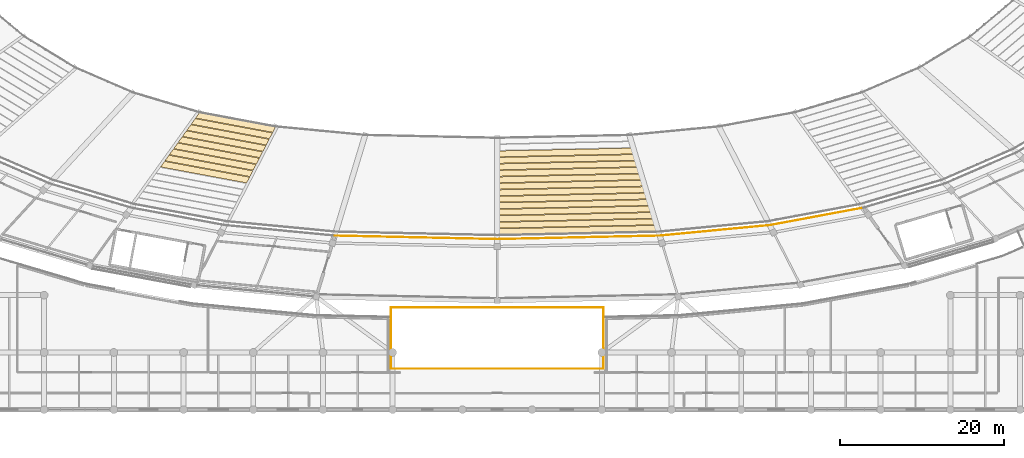
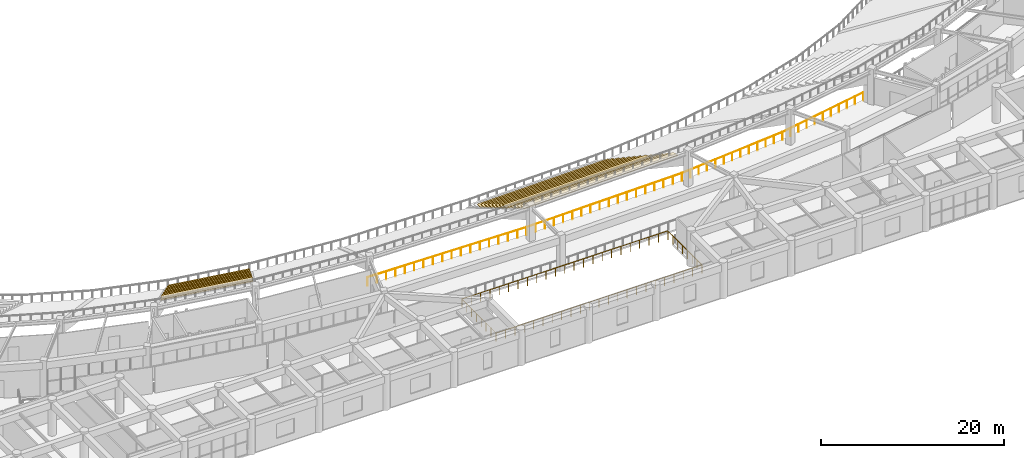
# One storey, part 116 of 137: 22 coverings, 3 railings.
"""IFC4 building model written with IfcOpenShell, lengths in metres."""

from ifc_helpers import new_model, si_unit, direction, frame, origin, origin_2d, place, context, subcontext, project, spatial, polyline, circle, outline, extrude, material, layer, layer_set, type_object, element, save


model = new_model("IFC4")

# Units and contexts
model_context = context("Model", 3, precision=1e-05, world=origin(), true_north=direction((0.0, 1.0)))
body_context = subcontext(model_context, "Body", "Model", "MODEL_VIEW")
ifc_project = project(units=[si_unit("LENGTHUNIT", "METRE"), si_unit("AREAUNIT", "SQUARE_METRE"), si_unit("VOLUMEUNIT", "CUBIC_METRE"), si_unit("PLANEANGLEUNIT", "RADIAN"), si_unit("MASSUNIT", "GRAM", prefix="KILO")], contexts=[model_context])

# Site, building, storey
site_placement = place(None, origin())
site = spatial("IfcSite", under=ifc_project, at=site_placement, CompositionType="ELEMENT")
building_placement = place(site_placement, origin())
building = spatial("IfcBuilding", under=site, at=building_placement, Name="Mphavela Belvedere Stadium", CompositionType="ELEMENT")
storey_placement = place(building_placement, frame((0.0, 0.0, 19.199951171875)))
storey = spatial("IfcBuildingStorey", under=building, at=storey_placement, Name="L04", CompositionType="ELEMENT", Elevation=19.199951171875)

# Coverings
ifc_material_1 = material(Name="Precast seating row terrazzo finish", Category="concrete")
ifc_layer = layer(ifc_material_1, 0.1201171875)
ifc_layer_set = layer_set([ifc_layer], Name="Precast seating row terrazzo finish")
covering_type = type_object("IfcCoveringType", Name="COV-SEAT-ROW-U", PredefinedType="FLOORING", material=ifc_layer_set)
covering_1_placement = place(storey_placement, frame((0.0, 0.0, -3.4033203125)))
element("IfcCovering", 1, at=covering_1_placement, inside=storey, type_object=covering_type, Name="Upper stand seating row bench B34-R01", PredefinedType="FLOORING", context=body_context, shape_type="SweptSolid", body=[
    extrude(outline(polyline([(78.6357421875, 36.3271484375), (87.9296875, 34.59619140625), (87.56298828125, 33.885986328125), (78.14306640625, 35.640380859375), (78.6357421875, 36.3271484375)])), origin(), (0.0, 0.0, 1.0), 0.1201171875),
])
covering_2_placement = place(storey_placement, frame((0.0, 0.0, -2.936767578125)))
element("IfcCovering", 2, at=covering_2_placement, inside=storey, type_object=covering_type, Name="Upper stand seating row bench B34-R02", PredefinedType="FLOORING", context=body_context, shape_type="SweptSolid", body=[
    extrude(outline(polyline([(78.10009765625, 35.580810546875), (87.531005859375, 33.824462890625), (87.164306640625, 33.1142578125), (77.607421875, 34.894287109375), (78.10009765625, 35.580810546875)])), origin(), (0.0, 0.0, 1.0), 0.1201171875),
])
covering_3_placement = place(storey_placement, frame((0.0, 0.0, -2.469970703125)))
element("IfcCovering", 3, at=covering_3_placement, inside=storey, type_object=covering_type, Name="Upper stand seating row bench B34-R03", PredefinedType="FLOORING", context=body_context, shape_type="SweptSolid", body=[
    extrude(outline(polyline([(77.564453125, 34.83447265625), (87.13232421875, 33.052490234375), (86.765625, 32.342529296875), (77.07177734375, 34.14794921875), (77.564453125, 34.83447265625)])), origin(), (0.0, 0.0, 1.0), 0.1201171875),
])
covering_4_placement = place(storey_placement, frame((0.0, 0.0, -2.003173828125)))
element("IfcCovering", 4, at=covering_4_placement, inside=storey, type_object=covering_type, Name="Upper stand seating row bench B34-R04", PredefinedType="FLOORING", context=body_context, shape_type="SweptSolid", body=[
    extrude(outline(polyline([(77.029052734375, 34.088134765625), (86.733642578125, 32.28076171875), (86.366943359375, 31.570556640625), (76.5361328125, 33.401611328125), (77.029052734375, 34.088134765625)])), origin(), (0.0, 0.0, 1.0), 0.119873046875),
])
covering_5_placement = place(storey_placement, frame((0.0, 0.0, -1.53662109375)))
element("IfcCovering", 5, at=covering_5_placement, inside=storey, type_object=covering_type, Name="Upper stand seating row bench B34-R05", PredefinedType="FLOORING", context=body_context, shape_type="SweptSolid", body=[
    extrude(outline(polyline([(76.493408203125, 33.341796875), (86.3349609375, 31.5087890625), (85.96826171875, 30.798828125), (76.00048828125, 32.6552734375), (76.493408203125, 33.341796875)])), origin(), (0.0, 0.0, 1.0), 0.119873046875),
])
covering_6_placement = place(storey_placement, frame((0.0, 0.0, -1.070068359375)))
element("IfcCovering", 6, at=covering_6_placement, inside=storey, type_object=covering_type, Name="Upper stand seating row bench B34-R06", PredefinedType="FLOORING", context=body_context, shape_type="SweptSolid", body=[
    extrude(outline(polyline([(75.957763671875, 32.595458984375), (85.936279296875, 30.737060546875), (85.569580078125, 30.02685546875), (75.465087890625, 31.90869140625), (75.957763671875, 32.595458984375)])), origin(), (0.0, 0.0, 1.0), 0.1201171875),
])
covering_7_placement = place(storey_placement, frame((0.0, 0.0, -0.603271484375)))
element("IfcCovering", 7, at=covering_7_placement, inside=storey, type_object=covering_type, Name="Upper stand seating row bench B34-R07", PredefinedType="FLOORING", context=body_context, shape_type="SweptSolid", body=[
    extrude(outline(polyline([(75.422119140625, 31.84912109375), (85.53759765625, 29.965087890625), (85.1708984375, 29.255126953125), (74.929443359375, 31.16259765625), (75.422119140625, 31.84912109375)])), origin(), (0.0, 0.0, 1.0), 0.1201171875),
])
covering_8_placement = place(storey_placement, frame((0.0, 0.0, -0.13671875)))
element("IfcCovering", 8, at=covering_8_placement, inside=storey, type_object=covering_type, Name="Upper stand seating row bench B34-R08", PredefinedType="FLOORING", context=body_context, shape_type="SweptSolid", body=[
    extrude(outline(polyline([(74.88671875, 31.102783203125), (85.138916015625, 29.193359375), (84.772216796875, 28.4833984375), (74.393798828125, 30.416015625), (74.88671875, 31.102783203125)])), origin(), (0.0, 0.0, 1.0), 0.1201171875),
])
covering_9_placement = place(storey_placement, frame((0.0, 0.0, 0.330078125)))
element("IfcCovering", 9, at=covering_9_placement, inside=storey, type_object=covering_type, Name="Upper stand seating row bench B34-R09", PredefinedType="FLOORING", context=body_context, shape_type="SweptSolid", body=[
    extrude(outline(polyline([(74.35107421875, 30.3564453125), (84.740234375, 28.42138671875), (84.373291015625, 27.71142578125), (73.858154296875, 29.669921875), (74.35107421875, 30.3564453125)])), origin(), (0.0, 0.0, 1.0), 0.119873046875),
])
covering_10_placement = place(storey_placement, frame((0.0, 0.0, -2.469970703125)))
element("IfcCovering", 10, at=covering_10_placement, inside=storey, type_object=covering_type, Name="Upper stand seating row bench B37-R03", PredefinedType="FLOORING", context=body_context, shape_type="SweptSolid", body=[
    extrude(outline(polyline([(115.0, 31.622314453125), (131.62353515625, 31.980224609375), (131.84228515625, 31.256103515625), (115.0, 30.8935546875), (115.0, 31.622314453125)])), origin(), (0.0, 0.0, 1.0), 0.1201171875),
])
covering_11_placement = place(storey_placement, frame((0.0, 0.0, -2.003173828125)))
element("IfcCovering", 11, at=covering_11_placement, inside=storey, type_object=covering_type, Name="Upper stand seating row bench B37-R04", PredefinedType="FLOORING", context=body_context, shape_type="SweptSolid", body=[
    extrude(outline(polyline([(115.0, 30.830078125), (131.861328125, 31.193115234375), (132.080078125, 30.468994140625), (115.0, 30.101318359375), (115.0, 30.830078125)])), origin(), (0.0, 0.0, 1.0), 0.119873046875),
])
covering_12_placement = place(storey_placement, frame((0.0, 0.0, -1.53662109375)))
element("IfcCovering", 12, at=covering_12_placement, inside=storey, type_object=covering_type, Name="Upper stand seating row bench B37-R05", PredefinedType="FLOORING", context=body_context, shape_type="SweptSolid", body=[
    extrude(outline(polyline([(115.0, 30.037841796875), (132.09912109375, 30.406005859375), (132.318115234375, 29.681884765625), (115.0, 29.308837890625), (115.0, 30.037841796875)])), origin(), (0.0, 0.0, 1.0), 0.119873046875),
])
covering_13_placement = place(storey_placement, frame((0.0, 0.0, -1.070068359375)))
element("IfcCovering", 13, at=covering_13_placement, inside=storey, type_object=covering_type, Name="Upper stand seating row bench B37-R06", PredefinedType="FLOORING", context=body_context, shape_type="SweptSolid", body=[
    extrude(outline(polyline([(115.0, 29.24560546875), (132.3369140625, 29.618896484375), (132.555908203125, 28.89453125), (115.0, 28.5166015625), (115.0, 29.24560546875)])), origin(), (0.0, 0.0, 1.0), 0.1201171875),
])
covering_14_placement = place(storey_placement, frame((0.0, 0.0, -0.603271484375)))
element("IfcCovering", 14, at=covering_14_placement, inside=storey, type_object=covering_type, Name="Upper stand seating row bench B37-R07", PredefinedType="FLOORING", context=body_context, shape_type="SweptSolid", body=[
    extrude(outline(polyline([(115.0, 28.453125), (132.574951171875, 28.83154296875), (132.793701171875, 28.107421875), (115.0, 27.724365234375), (115.0, 28.453125)])), origin(), (0.0, 0.0, 1.0), 0.1201171875),
])
covering_15_placement = place(storey_placement, frame((0.0, 0.0, -0.13671875)))
element("IfcCovering", 15, at=covering_15_placement, inside=storey, type_object=covering_type, Name="Upper stand seating row bench B37-R08", PredefinedType="FLOORING", context=body_context, shape_type="SweptSolid", body=[
    extrude(outline(polyline([(115.0, 27.660888671875), (132.812744140625, 28.04443359375), (133.031494140625, 27.3203125), (115.0, 26.931884765625), (115.0, 27.660888671875)])), origin(), (0.0, 0.0, 1.0), 0.1201171875),
])
covering_16_placement = place(storey_placement, frame((0.0, 0.0, 0.330078125)))
element("IfcCovering", 16, at=covering_16_placement, inside=storey, type_object=covering_type, Name="Upper stand seating row bench B37-R09", PredefinedType="FLOORING", context=body_context, shape_type="SweptSolid", body=[
    extrude(outline(polyline([(115.0, 26.86865234375), (133.050537109375, 27.25732421875), (133.269287109375, 26.533203125), (115.0, 26.1396484375), (115.0, 26.86865234375)])), origin(), (0.0, 0.0, 1.0), 0.119873046875),
])
covering_17_placement = place(storey_placement, frame((0.0, 0.0, 0.796630859375)))
element("IfcCovering", 17, at=covering_17_placement, inside=storey, type_object=covering_type, Name="Upper stand seating row bench B37-R10", PredefinedType="FLOORING", context=body_context, shape_type="SweptSolid", body=[
    extrude(outline(polyline([(115.0, 26.076416015625), (133.288330078125, 26.47021484375), (133.507080078125, 25.745849609375), (115.0, 25.347412109375), (115.0, 26.076416015625)])), origin(), (0.0, 0.0, 1.0), 0.1201171875),
])
covering_18_placement = place(storey_placement, frame((0.0, 0.0, 1.263427734375)))
element("IfcCovering", 18, at=covering_18_placement, inside=storey, type_object=covering_type, Name="Upper stand seating row bench B37-R11", PredefinedType="FLOORING", context=body_context, shape_type="SweptSolid", body=[
    extrude(outline(polyline([(115.0, 25.283935546875), (133.526123046875, 25.682861328125), (133.7451171875, 24.958740234375), (115.0, 24.55517578125), (115.0, 25.283935546875)])), origin(), (0.0, 0.0, 1.0), 0.119873046875),
])
covering_19_placement = place(storey_placement, frame((0.0, 0.0, 1.72998046875)))
element("IfcCovering", 19, at=covering_19_placement, inside=storey, type_object=covering_type, Name="Upper stand seating row bench B37-R12", PredefinedType="FLOORING", context=body_context, shape_type="SweptSolid", body=[
    extrude(outline(polyline([(115.0, 24.49169921875), (133.76416015625, 24.895751953125), (133.98291015625, 24.17138671875), (115.0, 23.7626953125), (115.0, 24.49169921875)])), origin(), (0.0, 0.0, 1.0), 0.1201171875),
])
covering_20_placement = place(storey_placement, frame((0.0, 0.0, 2.19677734375)))
element("IfcCovering", 20, at=covering_20_placement, inside=storey, type_object=covering_type, Name="Upper stand seating row bench B37-R13", PredefinedType="FLOORING", context=body_context, shape_type="SweptSolid", body=[
    extrude(outline(polyline([(115.0, 23.699462890625), (134.001953125, 24.1083984375), (134.220703125, 23.38427734375), (115.0, 22.970458984375), (115.0, 23.699462890625)])), origin(), (0.0, 0.0, 1.0), 0.119873046875),
])
covering_21_placement = place(storey_placement, frame((0.0, 0.0, 2.663330078125)))
element("IfcCovering", 21, at=covering_21_placement, inside=storey, type_object=covering_type, Name="Upper stand seating row bench B37-R14", PredefinedType="FLOORING", context=body_context, shape_type="SweptSolid", body=[
    extrude(outline(polyline([(115.0, 22.906982421875), (134.23974609375, 23.3212890625), (134.45849609375, 22.59716796875), (115.0, 22.17822265625), (115.0, 22.906982421875)])), origin(), (0.0, 0.0, 1.0), 0.1201171875),
])
covering_22_placement = place(storey_placement, frame((0.0, 0.0, 3.130126953125)))
element("IfcCovering", 22, at=covering_22_placement, inside=storey, type_object=covering_type, Name="Upper stand seating row bench B37-R15", PredefinedType="FLOORING", context=body_context, shape_type="SweptSolid", body=[
    extrude(outline(polyline([(115.0, 22.11474609375), (134.4775390625, 22.5341796875), (134.6962890625, 21.81005859375), (115.0, 21.385986328125), (115.0, 22.11474609375)])), origin(), (0.0, 0.0, 1.0), 0.119873046875),
])

# Railings
ifc_material_2 = material(Name="Bronze and laminated glass stadium balustrade", Category="glass")
railing_type = type_object("IfcRailingType", Name="RAL-BALUSTRADE-1120", PredefinedType="BALUSTRADE", material=ifc_material_2)
railing_1_placement = place(storey_placement, frame((95.138671875, 21.263671875, 0.0)))
element("IfcRailing", 23, at=railing_1_placement, inside=storey, type_object=railing_type, Name="South Belvedere terrace inner bowl balustrade", PredefinedType="BALUSTRADE", context=body_context, shape_type="SweptSolid", body=[
    extrude(circle(Radius=0.02392578125, at=origin_2d()), frame((0.0, 0.0, 1.09619140625), z_axis=(0.999768180107, -0.021531048426, 0.0), x_axis=(0.021531048426, 0.999768180107, 0.0)), (0.0, 0.0, 1.0), 19.865966796875),
    extrude(circle(Radius=0.02392578125, at=origin_2d()), frame((19.861328125, -0.427734375, 1.09619140625), z_axis=(0.999768180107, 0.021531048426, 0.0), x_axis=(-0.021531048426, 0.999768180107, 0.0)), (0.0, 0.0, 1.0), 19.865966796875),
    extrude(circle(Radius=0.02392578125, at=origin_2d()), frame((39.72265625, 0.0, 1.09619140625), z_axis=(0.995484652268, 0.094922637441, 0.0), x_axis=(-0.094922637441, 0.995484652268, 0.0)), (0.0, 0.0, 1.0), 13.495361328125),
    extrude(circle(Radius=0.02392578125, at=origin_2d()), frame((53.156982421875, 1.281005859375, 1.09619140625), z_axis=(0.983097019328, 0.183085364213, 0.0), x_axis=(-0.183085364213, 0.983097019328, 0.0)), (0.0, 0.0, 1.0), 11.6279296875),
    extrude(circle(Radius=0.02099609375, at=origin_2d()), origin(), (0.0, 0.0, 1.0), 1.072021484375),
    extrude(circle(Radius=0.02099609375, at=origin_2d()), frame((1.168212890625, -0.025146484375, 0.0)), (0.0, 0.0, 1.0), 1.072021484375),
    extrude(circle(Radius=0.02099609375, at=origin_2d()), frame((2.336669921875, -0.05029296875, 0.0)), (0.0, 0.0, 1.0), 1.072021484375),
    extrude(circle(Radius=0.02099609375, at=origin_2d()), frame((3.5048828125, -0.075439453125, 0.0)), (0.0, 0.0, 1.0), 1.072021484375),
    extrude(circle(Radius=0.02099609375, at=origin_2d()), frame((4.67333984375, -0.1005859375, 0.0)), (0.0, 0.0, 1.0), 1.072021484375),
    extrude(circle(Radius=0.02099609375, at=origin_2d()), frame((5.841552734375, -0.125732421875, 0.0)), (0.0, 0.0, 1.0), 1.072021484375),
    extrude(circle(Radius=0.02099609375, at=origin_2d()), frame((7.009765625, -0.15087890625, 0.0)), (0.0, 0.0, 1.0), 1.072021484375),
    extrude(circle(Radius=0.02099609375, at=origin_2d()), frame((8.17822265625, -0.176025390625, 0.0)), (0.0, 0.0, 1.0), 1.072021484375),
    extrude(circle(Radius=0.02099609375, at=origin_2d()), frame((9.346435546875, -0.201171875, 0.0)), (0.0, 0.0, 1.0), 1.072021484375),
    extrude(circle(Radius=0.02099609375, at=origin_2d()), frame((10.514892578125, -0.2265625, 0.0)), (0.0, 0.0, 1.0), 1.072021484375),
    extrude(circle(Radius=0.02099609375, at=origin_2d()), frame((11.68310546875, -0.251708984375, 0.0)), (0.0, 0.0, 1.0), 1.072021484375),
    extrude(circle(Radius=0.02099609375, at=origin_2d()), frame((12.8515625, -0.27685546875, 0.0)), (0.0, 0.0, 1.0), 1.072021484375),
    extrude(circle(Radius=0.02099609375, at=origin_2d()), frame((14.019775390625, -0.302001953125, 0.0)), (0.0, 0.0, 1.0), 1.072021484375),
    extrude(circle(Radius=0.02099609375, at=origin_2d()), frame((15.18798828125, -0.3271484375, 0.0)), (0.0, 0.0, 1.0), 1.072021484375),
    extrude(circle(Radius=0.02099609375, at=origin_2d()), frame((16.3564453125, -0.352294921875, 0.0)), (0.0, 0.0, 1.0), 1.072021484375),
    extrude(circle(Radius=0.02099609375, at=origin_2d()), frame((17.524658203125, -0.37744140625, 0.0)), (0.0, 0.0, 1.0), 1.072021484375),
    extrude(circle(Radius=0.02099609375, at=origin_2d()), frame((18.693115234375, -0.402587890625, 0.0)), (0.0, 0.0, 1.0), 1.072021484375),
    extrude(circle(Radius=0.02099609375, at=origin_2d()), frame((19.861328125, -0.427734375, 0.0)), (0.0, 0.0, 1.0), 1.072021484375),
    extrude(circle(Radius=0.02099609375, at=origin_2d()), frame((21.029541015625, -0.402587890625, 0.0)), (0.0, 0.0, 1.0), 1.072021484375),
    extrude(circle(Radius=0.02099609375, at=origin_2d()), frame((22.197998046875, -0.37744140625, 0.0)), (0.0, 0.0, 1.0), 1.072021484375),
    extrude(circle(Radius=0.02099609375, at=origin_2d()), frame((23.3662109375, -0.352294921875, 0.0)), (0.0, 0.0, 1.0), 1.072021484375),
    extrude(circle(Radius=0.02099609375, at=origin_2d()), frame((24.53466796875, -0.3271484375, 0.0)), (0.0, 0.0, 1.0), 1.072021484375),
    extrude(circle(Radius=0.02099609375, at=origin_2d()), frame((25.702880859375, -0.302001953125, 0.0)), (0.0, 0.0, 1.0), 1.072021484375),
    extrude(circle(Radius=0.02099609375, at=origin_2d()), frame((26.87109375, -0.27685546875, 0.0)), (0.0, 0.0, 1.0), 1.072021484375),
    extrude(circle(Radius=0.02099609375, at=origin_2d()), frame((28.03955078125, -0.251708984375, 0.0)), (0.0, 0.0, 1.0), 1.072021484375),
    extrude(circle(Radius=0.02099609375, at=origin_2d()), frame((29.207763671875, -0.2265625, 0.0)), (0.0, 0.0, 1.0), 1.072021484375),
    extrude(circle(Radius=0.02099609375, at=origin_2d()), frame((30.376220703125, -0.201171875, 0.0)), (0.0, 0.0, 1.0), 1.072021484375),
    extrude(circle(Radius=0.02099609375, at=origin_2d()), frame((31.54443359375, -0.176025390625, 0.0)), (0.0, 0.0, 1.0), 1.072021484375),
    extrude(circle(Radius=0.02099609375, at=origin_2d()), frame((32.712890625, -0.15087890625, 0.0)), (0.0, 0.0, 1.0), 1.072021484375),
    extrude(circle(Radius=0.02099609375, at=origin_2d()), frame((33.881103515625, -0.125732421875, 0.0)), (0.0, 0.0, 1.0), 1.072021484375),
    extrude(circle(Radius=0.02099609375, at=origin_2d()), frame((35.04931640625, -0.1005859375, 0.0)), (0.0, 0.0, 1.0), 1.072021484375),
    extrude(circle(Radius=0.02099609375, at=origin_2d()), frame((36.2177734375, -0.075439453125, 0.0)), (0.0, 0.0, 1.0), 1.072021484375),
    extrude(circle(Radius=0.02099609375, at=origin_2d()), frame((37.385986328125, -0.05029296875, 0.0)), (0.0, 0.0, 1.0), 1.072021484375),
    extrude(circle(Radius=0.02099609375, at=origin_2d()), frame((38.554443359375, -0.025146484375, 0.0)), (0.0, 0.0, 1.0), 1.072021484375),
    extrude(circle(Radius=0.02099609375, at=origin_2d()), frame((39.72265625, 0.0, 0.0)), (0.0, 0.0, 1.0), 1.072021484375),
    extrude(circle(Radius=0.02099609375, at=origin_2d()), frame((40.84228515625, 0.106689453125, 0.0)), (0.0, 0.0, 1.0), 1.072021484375),
    extrude(circle(Radius=0.02099609375, at=origin_2d()), frame((41.961669921875, 0.21337890625, 0.0)), (0.0, 0.0, 1.0), 1.072021484375),
    extrude(circle(Radius=0.02099609375, at=origin_2d()), frame((43.081298828125, 0.3203125, 0.0)), (0.0, 0.0, 1.0), 1.072021484375),
    extrude(circle(Radius=0.02099609375, at=origin_2d()), frame((44.20068359375, 0.427001953125, 0.0)), (0.0, 0.0, 1.0), 1.072021484375),
    extrude(circle(Radius=0.02099609375, at=origin_2d()), frame((45.3203125, 0.53369140625, 0.0)), (0.0, 0.0, 1.0), 1.072021484375),
    extrude(circle(Radius=0.02099609375, at=origin_2d()), frame((46.43994140625, 0.640625, 0.0)), (0.0, 0.0, 1.0), 1.072021484375),
    extrude(circle(Radius=0.02099609375, at=origin_2d()), frame((47.559326171875, 0.747314453125, 0.0)), (0.0, 0.0, 1.0), 1.072021484375),
    extrude(circle(Radius=0.02099609375, at=origin_2d()), frame((48.678955078125, 0.85400390625, 0.0)), (0.0, 0.0, 1.0), 1.072021484375),
    extrude(circle(Radius=0.02099609375, at=origin_2d()), frame((49.79833984375, 0.960693359375, 0.0)), (0.0, 0.0, 1.0), 1.072021484375),
    extrude(circle(Radius=0.02099609375, at=origin_2d()), frame((50.91796875, 1.0673828125, 0.0)), (0.0, 0.0, 1.0), 1.072021484375),
    extrude(circle(Radius=0.02099609375, at=origin_2d()), frame((52.037353515625, 1.17431640625, 0.0)), (0.0, 0.0, 1.0), 1.072021484375),
    extrude(circle(Radius=0.02099609375, at=origin_2d()), frame((53.156982421875, 1.281005859375, 0.0)), (0.0, 0.0, 1.0), 1.072021484375),
    extrude(circle(Radius=0.02099609375, at=origin_2d()), frame((54.300048828125, 1.493896484375, 0.0)), (0.0, 0.0, 1.0), 1.072021484375),
    extrude(circle(Radius=0.02099609375, at=origin_2d()), frame((55.443359375, 1.706787109375, 0.0)), (0.0, 0.0, 1.0), 1.072021484375),
    extrude(circle(Radius=0.02099609375, at=origin_2d()), frame((56.58642578125, 1.919677734375, 0.0)), (0.0, 0.0, 1.0), 1.072021484375),
    extrude(circle(Radius=0.02099609375, at=origin_2d()), frame((57.7294921875, 2.132568359375, 0.0)), (0.0, 0.0, 1.0), 1.072021484375),
    extrude(circle(Radius=0.02099609375, at=origin_2d()), frame((58.87255859375, 2.345458984375, 0.0)), (0.0, 0.0, 1.0), 1.072021484375),
    extrude(circle(Radius=0.02099609375, at=origin_2d()), frame((60.015869140625, 2.558349609375, 0.0)), (0.0, 0.0, 1.0), 1.072021484375),
    extrude(circle(Radius=0.02099609375, at=origin_2d()), frame((61.158935546875, 2.771240234375, 0.0)), (0.0, 0.0, 1.0), 1.072021484375),
    extrude(circle(Radius=0.02099609375, at=origin_2d()), frame((62.302001953125, 2.984130859375, 0.0)), (0.0, 0.0, 1.0), 1.072021484375),
    extrude(circle(Radius=0.02099609375, at=origin_2d()), frame((63.4453125, 3.197021484375, 0.0)), (0.0, 0.0, 1.0), 1.072021484375),
    extrude(circle(Radius=0.02099609375, at=origin_2d()), frame((64.58837890625, 3.409912109375, 0.0)), (0.0, 0.0, 1.0), 1.072021484375),
])
railing_2_placement = place(storey_placement, frame((102.0, 5.0, 0.0)))
element("IfcRailing", 24, at=railing_2_placement, inside=storey, type_object=railing_type, Name="South Axial Triumphal Peristyle Portico court balustrade L04-A", PredefinedType="BALUSTRADE", context=body_context, shape_type="SweptSolid", body=[
    extrude(circle(Radius=0.02392578125, at=origin_2d()), frame((0.0, 0.0, 1.09619140625), z_axis=(1.0, 0.0, 0.0), x_axis=(0.0, 1.0, 0.0)), (0.0, 0.0, 1.0), 26.0),
    extrude(circle(Radius=0.02392578125, at=origin_2d()), frame((26.0, 0.0, 1.09619140625), z_axis=(0.0, 1.0, 0.0), x_axis=(-1.0, 0.0, 0.0)), (0.0, 0.0, 1.0), 7.419921875),
    extrude(circle(Radius=0.02099609375, at=origin_2d()), origin(), (0.0, 0.0, 1.0), 1.072021484375),
    extrude(circle(Radius=0.02099609375, at=origin_2d()), frame((1.181884765625, 0.0, 0.0)), (0.0, 0.0, 1.0), 1.072021484375),
    extrude(circle(Radius=0.02099609375, at=origin_2d()), frame((2.363525390625, 0.0, 0.0)), (0.0, 0.0, 1.0), 1.072021484375),
    extrude(circle(Radius=0.02099609375, at=origin_2d()), frame((3.54541015625, 0.0, 0.0)), (0.0, 0.0, 1.0), 1.072021484375),
    extrude(circle(Radius=0.02099609375, at=origin_2d()), frame((4.727294921875, 0.0, 0.0)), (0.0, 0.0, 1.0), 1.072021484375),
    extrude(circle(Radius=0.02099609375, at=origin_2d()), frame((5.9091796875, 0.0, 0.0)), (0.0, 0.0, 1.0), 1.072021484375),
    extrude(circle(Radius=0.02099609375, at=origin_2d()), frame((7.0908203125, 0.0, 0.0)), (0.0, 0.0, 1.0), 1.072021484375),
    extrude(circle(Radius=0.02099609375, at=origin_2d()), frame((8.272705078125, 0.0, 0.0)), (0.0, 0.0, 1.0), 1.072021484375),
    extrude(circle(Radius=0.02099609375, at=origin_2d()), frame((9.45458984375, 0.0, 0.0)), (0.0, 0.0, 1.0), 1.072021484375),
    extrude(circle(Radius=0.02099609375, at=origin_2d()), frame((10.636474609375, 0.0, 0.0)), (0.0, 0.0, 1.0), 1.072021484375),
    extrude(circle(Radius=0.02099609375, at=origin_2d()), frame((11.818115234375, 0.0, 0.0)), (0.0, 0.0, 1.0), 1.072021484375),
    extrude(circle(Radius=0.02099609375, at=origin_2d()), frame((13.0, 0.0, 0.0)), (0.0, 0.0, 1.0), 1.072021484375),
    extrude(circle(Radius=0.02099609375, at=origin_2d()), frame((14.181884765625, 0.0, 0.0)), (0.0, 0.0, 1.0), 1.072021484375),
    extrude(circle(Radius=0.02099609375, at=origin_2d()), frame((15.363525390625, 0.0, 0.0)), (0.0, 0.0, 1.0), 1.072021484375),
    extrude(circle(Radius=0.02099609375, at=origin_2d()), frame((16.54541015625, 0.0, 0.0)), (0.0, 0.0, 1.0), 1.072021484375),
    extrude(circle(Radius=0.02099609375, at=origin_2d()), frame((17.727294921875, 0.0, 0.0)), (0.0, 0.0, 1.0), 1.072021484375),
    extrude(circle(Radius=0.02099609375, at=origin_2d()), frame((18.9091796875, 0.0, 0.0)), (0.0, 0.0, 1.0), 1.072021484375),
    extrude(circle(Radius=0.02099609375, at=origin_2d()), frame((20.0908203125, 0.0, 0.0)), (0.0, 0.0, 1.0), 1.072021484375),
    extrude(circle(Radius=0.02099609375, at=origin_2d()), frame((21.272705078125, 0.0, 0.0)), (0.0, 0.0, 1.0), 1.072021484375),
    extrude(circle(Radius=0.02099609375, at=origin_2d()), frame((22.45458984375, 0.0, 0.0)), (0.0, 0.0, 1.0), 1.072021484375),
    extrude(circle(Radius=0.02099609375, at=origin_2d()), frame((23.636474609375, 0.0, 0.0)), (0.0, 0.0, 1.0), 1.072021484375),
    extrude(circle(Radius=0.02099609375, at=origin_2d()), frame((24.818115234375, 0.0, 0.0)), (0.0, 0.0, 1.0), 1.072021484375),
    extrude(circle(Radius=0.02099609375, at=origin_2d()), frame((26.0, 0.0, 0.0)), (0.0, 0.0, 1.0), 1.072021484375),
    extrude(circle(Radius=0.02099609375, at=origin_2d()), frame((26.0, 1.06005859375, 0.0)), (0.0, 0.0, 1.0), 1.072021484375),
    extrude(circle(Radius=0.02099609375, at=origin_2d()), frame((26.0, 2.119873046875, 0.0)), (0.0, 0.0, 1.0), 1.072021484375),
    extrude(circle(Radius=0.02099609375, at=origin_2d()), frame((26.0, 3.179931640625, 0.0)), (0.0, 0.0, 1.0), 1.072021484375),
    extrude(circle(Radius=0.02099609375, at=origin_2d()), frame((26.0, 4.239990234375, 0.0)), (0.0, 0.0, 1.0), 1.072021484375),
    extrude(circle(Radius=0.02099609375, at=origin_2d()), frame((26.0, 5.300048828125, 0.0)), (0.0, 0.0, 1.0), 1.072021484375),
    extrude(circle(Radius=0.02099609375, at=origin_2d()), frame((26.0, 6.35986328125, 0.0)), (0.0, 0.0, 1.0), 1.072021484375),
    extrude(circle(Radius=0.02099609375, at=origin_2d()), frame((26.0, 7.419921875, 0.0)), (0.0, 0.0, 1.0), 1.072021484375),
])
railing_3_placement = place(storey_placement, frame((128.0, 12.5, 0.0)))
element("IfcRailing", 25, at=railing_3_placement, inside=storey, type_object=railing_type, Name="South Axial Triumphal Peristyle Portico court balustrade L04-B", PredefinedType="BALUSTRADE", context=body_context, shape_type="SweptSolid", body=[
    extrude(circle(Radius=0.02392578125, at=origin_2d()), frame((0.0, 0.0, 1.09619140625), z_axis=(-1.0, 0.0, 0.0), x_axis=(0.0, -1.0, 0.0)), (0.0, 0.0, 1.0), 26.0),
    extrude(circle(Radius=0.02392578125, at=origin_2d()), frame((-26.0, 0.0, 1.09619140625), z_axis=(0.0, -1.0, 0.0), x_axis=(1.0, 0.0, 0.0)), (0.0, 0.0, 1.0), 7.419921875),
    extrude(circle(Radius=0.02099609375, at=origin_2d()), origin(), (0.0, 0.0, 1.0), 1.072021484375),
    extrude(circle(Radius=0.02099609375, at=origin_2d()), frame((-1.181884765625, 0.0, 0.0)), (0.0, 0.0, 1.0), 1.072021484375),
    extrude(circle(Radius=0.02099609375, at=origin_2d()), frame((-2.363525390625, 0.0, 0.0)), (0.0, 0.0, 1.0), 1.072021484375),
    extrude(circle(Radius=0.02099609375, at=origin_2d()), frame((-3.54541015625, 0.0, 0.0)), (0.0, 0.0, 1.0), 1.072021484375),
    extrude(circle(Radius=0.02099609375, at=origin_2d()), frame((-4.727294921875, 0.0, 0.0)), (0.0, 0.0, 1.0), 1.072021484375),
    extrude(circle(Radius=0.02099609375, at=origin_2d()), frame((-5.9091796875, 0.0, 0.0)), (0.0, 0.0, 1.0), 1.072021484375),
    extrude(circle(Radius=0.02099609375, at=origin_2d()), frame((-7.0908203125, 0.0, 0.0)), (0.0, 0.0, 1.0), 1.072021484375),
    extrude(circle(Radius=0.02099609375, at=origin_2d()), frame((-8.272705078125, 0.0, 0.0)), (0.0, 0.0, 1.0), 1.072021484375),
    extrude(circle(Radius=0.02099609375, at=origin_2d()), frame((-9.45458984375, 0.0, 0.0)), (0.0, 0.0, 1.0), 1.072021484375),
    extrude(circle(Radius=0.02099609375, at=origin_2d()), frame((-10.636474609375, 0.0, 0.0)), (0.0, 0.0, 1.0), 1.072021484375),
    extrude(circle(Radius=0.02099609375, at=origin_2d()), frame((-11.818115234375, 0.0, 0.0)), (0.0, 0.0, 1.0), 1.072021484375),
    extrude(circle(Radius=0.02099609375, at=origin_2d()), frame((-13.0, 0.0, 0.0)), (0.0, 0.0, 1.0), 1.072021484375),
    extrude(circle(Radius=0.02099609375, at=origin_2d()), frame((-14.181884765625, 0.0, 0.0)), (0.0, 0.0, 1.0), 1.072021484375),
    extrude(circle(Radius=0.02099609375, at=origin_2d()), frame((-15.363525390625, 0.0, 0.0)), (0.0, 0.0, 1.0), 1.072021484375),
    extrude(circle(Radius=0.02099609375, at=origin_2d()), frame((-16.54541015625, 0.0, 0.0)), (0.0, 0.0, 1.0), 1.072021484375),
    extrude(circle(Radius=0.02099609375, at=origin_2d()), frame((-17.727294921875, 0.0, 0.0)), (0.0, 0.0, 1.0), 1.072021484375),
    extrude(circle(Radius=0.02099609375, at=origin_2d()), frame((-18.9091796875, 0.0, 0.0)), (0.0, 0.0, 1.0), 1.072021484375),
    extrude(circle(Radius=0.02099609375, at=origin_2d()), frame((-20.0908203125, 0.0, 0.0)), (0.0, 0.0, 1.0), 1.072021484375),
    extrude(circle(Radius=0.02099609375, at=origin_2d()), frame((-21.272705078125, 0.0, 0.0)), (0.0, 0.0, 1.0), 1.072021484375),
    extrude(circle(Radius=0.02099609375, at=origin_2d()), frame((-22.45458984375, 0.0, 0.0)), (0.0, 0.0, 1.0), 1.072021484375),
    extrude(circle(Radius=0.02099609375, at=origin_2d()), frame((-23.636474609375, 0.0, 0.0)), (0.0, 0.0, 1.0), 1.072021484375),
    extrude(circle(Radius=0.02099609375, at=origin_2d()), frame((-24.818115234375, 0.0, 0.0)), (0.0, 0.0, 1.0), 1.072021484375),
    extrude(circle(Radius=0.02099609375, at=origin_2d()), frame((-26.0, 0.0, 0.0)), (0.0, 0.0, 1.0), 1.072021484375),
    extrude(circle(Radius=0.02099609375, at=origin_2d()), frame((-26.0, -1.06005859375, 0.0)), (0.0, 0.0, 1.0), 1.072021484375),
    extrude(circle(Radius=0.02099609375, at=origin_2d()), frame((-26.0, -2.119873046875, 0.0)), (0.0, 0.0, 1.0), 1.072021484375),
    extrude(circle(Radius=0.02099609375, at=origin_2d()), frame((-26.0, -3.179931640625, 0.0)), (0.0, 0.0, 1.0), 1.072021484375),
    extrude(circle(Radius=0.02099609375, at=origin_2d()), frame((-26.0, -4.239990234375, 0.0)), (0.0, 0.0, 1.0), 1.072021484375),
    extrude(circle(Radius=0.02099609375, at=origin_2d()), frame((-26.0, -5.300048828125, 0.0)), (0.0, 0.0, 1.0), 1.072021484375),
    extrude(circle(Radius=0.02099609375, at=origin_2d()), frame((-26.0, -6.35986328125, 0.0)), (0.0, 0.0, 1.0), 1.072021484375),
    extrude(circle(Radius=0.02099609375, at=origin_2d()), frame((-26.0, -7.419921875, 0.0)), (0.0, 0.0, 1.0), 1.072021484375),
])

save(model, "model.ifc")
